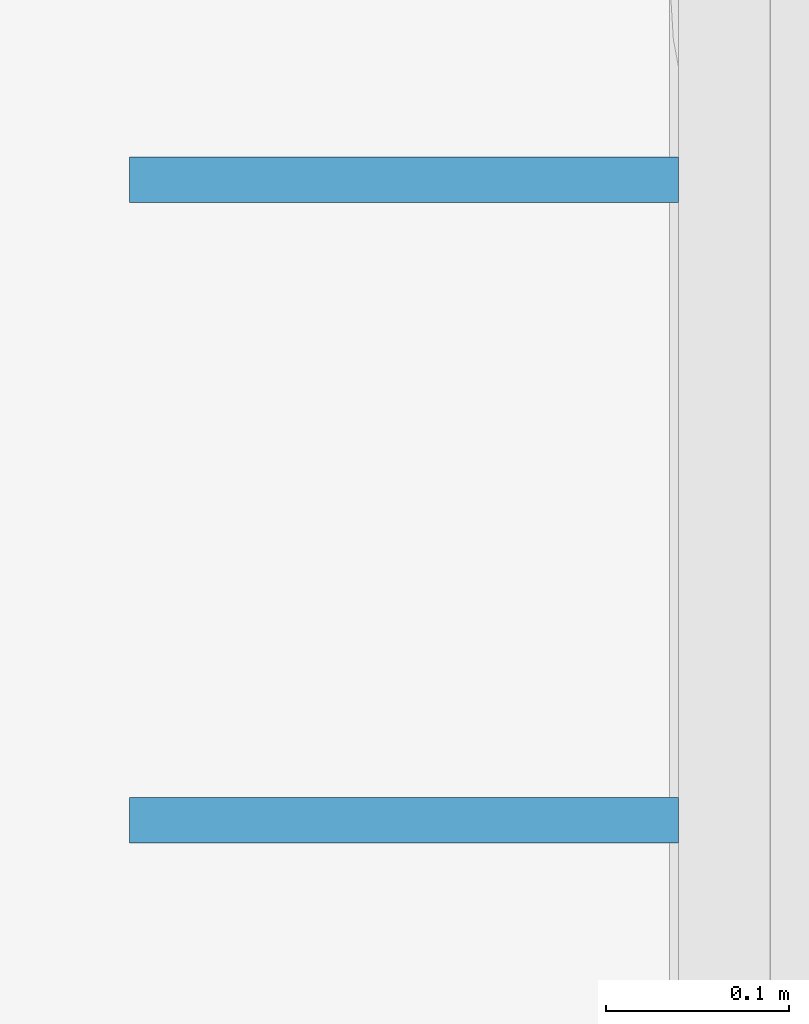
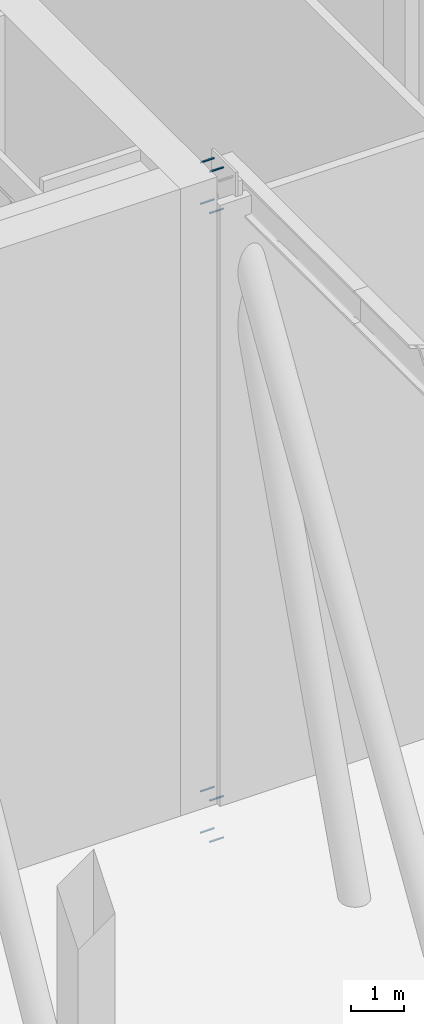
# One storey, part 14 of 20: 8 mechanical fasteners.
"""IFC4 building model written with IfcOpenShell, lengths in metres."""

import ifcopenshell
import ifcopenshell.guid

model = None  # the IFC model being written
_history = None  # IfcOwnerHistory: only IFC2X3 demands one
_inside = {}  # id of a spatial element -> (the spatial element, [elements in it])
_under = {}  # id of a project, library or spatial element -> (it, [spatial elements below it])
_declared = {}  # id of a project -> (the project, [libraries it declares])
_typed = {}  # id of a type object -> (the type object, [elements of that type])
_made_of = {}  # id of a material, layer set ... -> (it, [elements and type objects made of it])


def new_model(schema):
    """Start an empty IFC model of exactly this schema.

    Asked for "IFC4X3", IfcOpenShell would pick the latest addendum, in which some entities
    have other attributes; the version numbers below select the first issue.
    IFC2X3 requires an IfcOwnerHistory on every rooted entity: one is made here for all.
    """
    global model, _history
    if schema == "IFC4X3":
        model = ifcopenshell.file(schema_version=(4, 3, 0, 0))
    else:
        model = ifcopenshell.file(schema=schema)
    _inside.clear()
    _under.clear()
    _declared.clear()
    _typed.clear()
    _made_of.clear()
    _history = None
    if model.schema == "IFC2X3":
        org = make("IfcOrganization", Name="unknown")
        user = make(
            "IfcPersonAndOrganization",
            ThePerson=make("IfcPerson", FamilyName="unknown"),
            TheOrganization=org,
        )
        app = make(
            "IfcApplication",
            ApplicationDeveloper=org,
            Version="unknown",
            ApplicationFullName="unknown",
            ApplicationIdentifier="unknown",
        )
        _history = make(
            "IfcOwnerHistory",
            OwningUser=user,
            OwningApplication=app,
            ChangeAction="ADDED",
            CreationDate=0,
        )
    return model


def make(cls, **values):
    """One entity of the class cls with the attributes given. An attribute that is None is left unset."""
    return model.create_entity(
        cls, **{name: value for name, value in values.items() if value is not None}
    )


def rooted(cls, **values):
    """An entity with a GlobalId (a new one), such as an element, a storey or a relation."""
    return make(cls, GlobalId=ifcopenshell.guid.new(), OwnerHistory=_history, **values)


def si_unit(unit_type, name, prefix=None):
    """IfcSIUnit, for example si_unit("LENGTHUNIT", "METRE", prefix="MILLI")."""
    return make("IfcSIUnit", UnitType=unit_type, Prefix=prefix, Name=name)


def assignment(units):
    """IfcUnitAssignment: the units of a project."""
    return None if units is None else make("IfcUnitAssignment", Units=units)


def point(xyz):
    """IfcCartesianPoint."""
    return None if xyz is None else make("IfcCartesianPoint", Coordinates=xyz)


def direction(xyz):
    """IfcDirection."""
    return None if xyz is None else make("IfcDirection", DirectionRatios=xyz)


def frame(location, z_axis=None, x_axis=None):
    """IfcAxis2Placement3D, a coordinate frame: its origin and axes. An axis left out is left unset."""
    return make(
        "IfcAxis2Placement3D",
        Location=point(location),
        Axis=direction(z_axis),
        RefDirection=direction(x_axis),
    )


def frame_2d(location, x_axis=None):
    """IfcAxis2Placement2D, a coordinate frame in the plane: its origin and x axis."""
    return make(
        "IfcAxis2Placement2D", Location=point(location), RefDirection=direction(x_axis)
    )


def origin():
    """The frame at (0, 0, 0) with its axes left unset."""
    return frame((0.0, 0.0, 0.0))


def origin_2d():
    """The frame at (0, 0) in the plane with its x axis left unset."""
    return frame_2d((0.0, 0.0))


def place(relative_to, where):
    """IfcLocalPlacement: puts the frame where relative to a parent placement (None: the world)."""
    return make(
        "IfcLocalPlacement", PlacementRelTo=relative_to, RelativePlacement=where
    )


def context(
    kind, dimensions, precision=None, world=None, true_north=None, identifier=None
):
    """IfcGeometricRepresentationContext, for example the 3D "Model" context."""
    return make(
        "IfcGeometricRepresentationContext",
        ContextIdentifier=identifier,
        ContextType=kind,
        CoordinateSpaceDimension=dimensions,
        Precision=precision,
        WorldCoordinateSystem=world,
        TrueNorth=true_north,
    )


def subcontext(parent, identifier, kind, view, scale=None):
    """IfcGeometricRepresentationSubContext, for example "Body" below "Model"."""
    return make(
        "IfcGeometricRepresentationSubContext",
        ContextIdentifier=identifier,
        ContextType=kind,
        ParentContext=parent,
        TargetScale=scale,
        TargetView=view,
    )


def project(units=None, contexts=None):
    """IfcProject with its units and contexts."""
    return rooted(
        "IfcProject",
        Name="project",
        RepresentationContexts=contexts,
        UnitsInContext=assignment(units),
    )


def spatial(cls, under=None, at=None, **own):
    """A site, building, storey or space (cls), placed at a placement, below another one or the project."""
    s = rooted(cls, ObjectPlacement=at, **own)
    if under is not None:
        _under.setdefault(under.id(), (under, []))[1].append(s)
    return s


def profile(cls, at=None, kind="AREA", **sizes):
    """A parametric profile (cls). Its sizes go by their IFC names, for example OverallWidth=200.0."""
    return make(cls, ProfileType=kind, Position=at, **sizes)


def rectangle(**sizes):
    """IfcRectangleProfileDef."""
    return profile("IfcRectangleProfileDef", **sizes)


def extrude(swept, where, along, depth):
    """IfcExtrudedAreaSolid: the profile swept, set in the frame where, extruded along a direction by depth."""
    return make(
        "IfcExtrudedAreaSolid",
        SweptArea=swept,
        Position=where,
        ExtrudedDirection=direction(along),
        Depth=depth,
    )


def shape(context_of_items, identifier, shape_type, items):
    """IfcShapeRepresentation: the items that make up one representation, for example the "Body"."""
    return make(
        "IfcShapeRepresentation",
        ContextOfItems=context_of_items,
        RepresentationIdentifier=identifier,
        RepresentationType=shape_type,
        Items=items,
    )


def material(Name=None, Category=None):
    """IfcMaterial."""
    return make("IfcMaterial", Name=Name, Category=Category)


def made_of(thing, what):
    """Note that an element or type object is made of a material, layer set ...; save() writes the relation."""
    if what is not None:
        _made_of.setdefault(what.id(), (what, []))[1].append(thing)
    return thing


def type_object(cls, material=None, **own):
    """A type object (cls), such as IfcWallType, which elements share."""
    return made_of(rooted(cls, **own), material)


def element(
    cls,
    number,
    at=None,
    inside=None,
    cuts=None,
    type_object=None,
    material=None,
    context=None,
    identifier="Body",
    shape_type=None,
    held_by="IfcProductDefinitionShape",
    body=None,
    shapes=None,
    **own,
):
    """One element of the class cls, such as IfcWall. Its Tag is "e" and its number.

    at: its placement. inside: the storey or other place that contains it. cuts: it is an
    opening in that element (IfcRelVoidsElement). A single representation is given by context,
    identifier, shape_type and body (its items); several are given by shapes. held_by: the class
    of the entity that holds the representations. save() writes the other relations.
    """
    e = rooted(cls, Tag="e%d" % number, ObjectPlacement=at, **own)
    if body is not None:
        shapes = [shape(context, identifier, shape_type, body)]
    if shapes is not None:
        e.Representation = make(held_by, Representations=shapes)
    if inside is not None:
        _inside.setdefault(inside.id(), (inside, []))[1].append(e)
    if cuts is not None:
        rooted(
            "IfcRelVoidsElement", RelatingBuildingElement=cuts, RelatedOpeningElement=e
        )
    if type_object is not None:
        _typed.setdefault(type_object.id(), (type_object, []))[1].append(e)
    return made_of(e, material)


def aggregate(whole, parts):
    """IfcRelAggregates: a whole, such as a stair, and the parts it consists of."""
    return rooted("IfcRelAggregates", RelatingObject=whole, RelatedObjects=parts)


def save(model, path):
    """Write the relations noted so far, then the file.

    IfcRelAggregates (storeys below a building ...), IfcRelContainedInSpatialStructure (elements
    in a storey), IfcRelDefinesByType, IfcRelAssociatesMaterial and IfcRelDeclares: one each for
    every whole, place, type object, material and project.
    """
    for whole, parts in _under.values():
        aggregate(whole, parts)
    for where, things in _inside.values():
        rooted(
            "IfcRelContainedInSpatialStructure",
            RelatedElements=things,
            RelatingStructure=where,
        )
    for kind, things in _typed.values():
        rooted("IfcRelDefinesByType", RelatedObjects=things, RelatingType=kind)
    for what, things in _made_of.values():
        rooted("IfcRelAssociatesMaterial", RelatedObjects=things, RelatingMaterial=what)
    for by, libraries in _declared.values():
        rooted("IfcRelDeclares", RelatingContext=by, RelatedDefinitions=libraries)
    model.write(path)


model = new_model("IFC4")

# Units and contexts
model_context = context("Model", 3, precision=1e-05, world=origin(), true_north=direction((0.0, 1.0)))
body_context = subcontext(model_context, "Body", "Model", "MODEL_VIEW")
ifc_project = project(units=[si_unit("LENGTHUNIT", "METRE"), si_unit("AREAUNIT", "SQUARE_METRE"), si_unit("VOLUMEUNIT", "CUBIC_METRE"), si_unit("PLANEANGLEUNIT", "RADIAN"), si_unit("MASSUNIT", "GRAM", prefix="KILO")], contexts=[model_context])

# Site, building, storey
site_placement = place(None, origin())
site = spatial("IfcSite", under=ifc_project, at=site_placement, CompositionType="ELEMENT")
building_placement = place(site_placement, origin())
building = spatial("IfcBuilding", under=site, at=building_placement, Name="Marenta Gate Hotel Tower", CompositionType="ELEMENT")
storey_placement = place(building_placement, frame((0.0, 0.0, 252.5)))
storey = spatial("IfcBuildingStorey", under=building, at=storey_placement, Name="L60", CompositionType="ELEMENT", Elevation=252.5)

# Mechanical fasteners
ifc_material = material(Name="Steel S355", Category="steel")
mechanical_fastener_type = type_object("IfcMechanicalFastenerType", Name="Headed anchor stud 25 x 300", PredefinedType="ANCHORBOLT", material=ifc_material)
for number, where, z_axis, x_axis, name in (
    (1, (12.14990234375, 0.449951171875, -1.1943359375), (0.0, 0.0, 1.0), (1.0, 0.0, 0.0), "AS1 Anchor stud CN-L60-8B-A2"),
    (2, (12.14990234375, 0.800048828125, -1.1943359375), (0.0, 0.0, 1.0), (1.0, 0.0, 0.0), "AS1 Anchor stud CN-L60-8B-A3"),
    (3, (12.14990234375, 0.449951171875, -0.244384765625), (0.0, 0.0, 1.0), (1.0, 0.0, 0.0), "AS1 Anchor stud CN-L60-8B-A5"),
    (4, (12.14990234375, 0.800048828125, -0.244384765625), (0.0, 0.0, 1.0), (1.0, 0.0, 0.0), "AS1 Anchor stud CN-L60-8B-A6"),
    (5, (12.14990234375, 0.449951171875, 13.24560546875), (0.0, 0.0, 1.0), (1.0, 0.0, 0.0), "AS1 Anchor stud CN-L60-8T-A2"),
    (6, (12.14990234375, 0.800048828125, 13.24560546875), (0.0, 0.0, 1.0), (1.0, 0.0, 0.0), "AS1 Anchor stud CN-L60-8T-A3"),
    (7, (12.14990234375, 0.449951171875, 14.195556640625), (0.0, 0.0, 1.0), (1.0, 0.0, 0.0), "AS1 Anchor stud CN-L60-8T-A5"),
    (8, (12.14990234375, 0.800048828125, 14.195556640625), (0.0, 0.0, 1.0), (1.0, 0.0, 0.0), "AS1 Anchor stud CN-L60-8T-A6"),
):
    element("IfcMechanicalFastener", number, at=place(storey_placement, frame(where, z_axis=z_axis, x_axis=x_axis)), inside=storey, type_object=mechanical_fastener_type, Name=name, PredefinedType="ANCHORBOLT", context=body_context, shape_type="SweptSolid", body=[
        extrude(rectangle(XDim=0.300048828125, YDim=0.02490234375, at=origin_2d()), origin(), (0.0, 0.0, 1.0), 0.02490234375),
    ])

save(model, "model.ifc")
